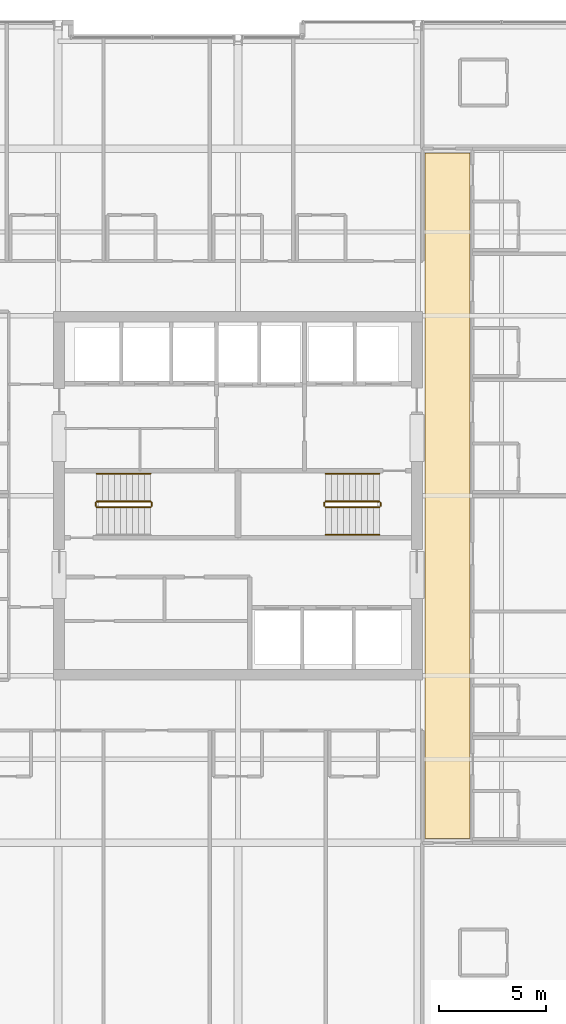
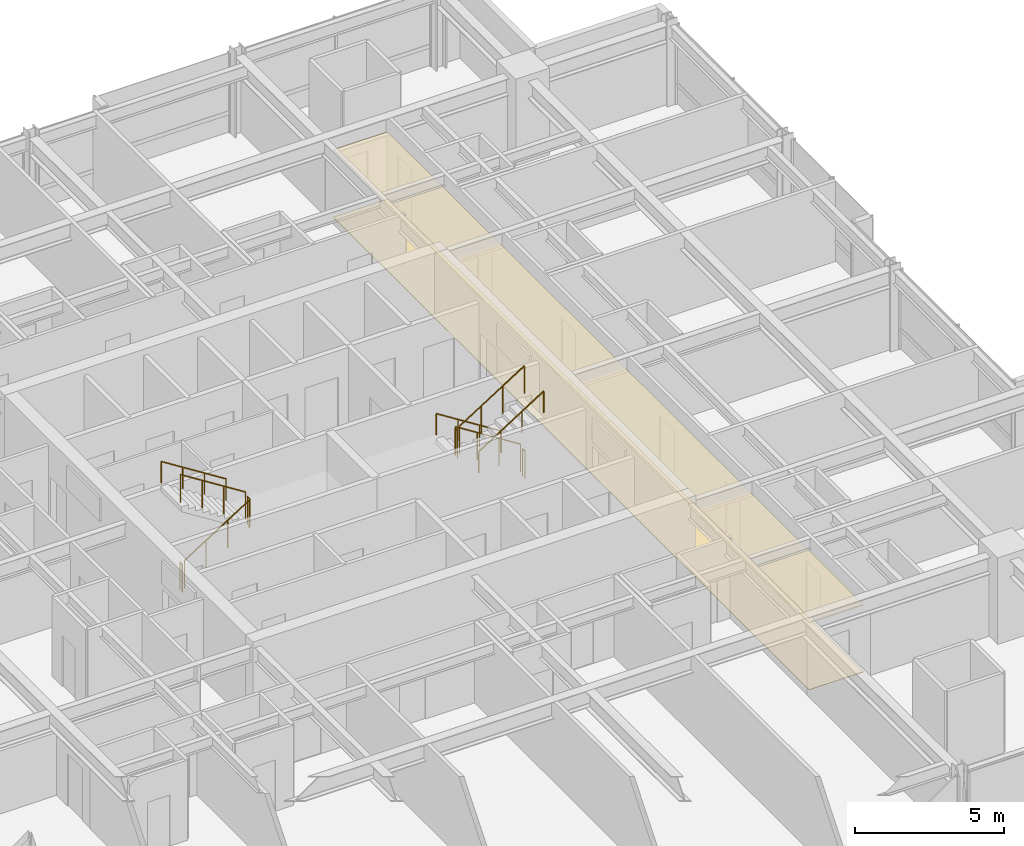
# One storey, part 32 of 33: 11 railings, 2 coverings.
"""IFC4 building model written with IfcOpenShell, lengths in metres."""

import ifcopenshell
import ifcopenshell.guid

model = None  # the IFC model being written
_history = None  # IfcOwnerHistory: only IFC2X3 demands one
_inside = {}  # id of a spatial element -> (the spatial element, [elements in it])
_under = {}  # id of a project, library or spatial element -> (it, [spatial elements below it])
_declared = {}  # id of a project -> (the project, [libraries it declares])
_typed = {}  # id of a type object -> (the type object, [elements of that type])
_made_of = {}  # id of a material, layer set ... -> (it, [elements and type objects made of it])


def new_model(schema):
    """Start an empty IFC model of exactly this schema.

    Asked for "IFC4X3", IfcOpenShell would pick the latest addendum, in which some entities
    have other attributes; the version numbers below select the first issue.
    IFC2X3 requires an IfcOwnerHistory on every rooted entity: one is made here for all.
    """
    global model, _history
    if schema == "IFC4X3":
        model = ifcopenshell.file(schema_version=(4, 3, 0, 0))
    else:
        model = ifcopenshell.file(schema=schema)
    _inside.clear()
    _under.clear()
    _declared.clear()
    _typed.clear()
    _made_of.clear()
    _history = None
    if model.schema == "IFC2X3":
        org = make("IfcOrganization", Name="unknown")
        user = make(
            "IfcPersonAndOrganization",
            ThePerson=make("IfcPerson", FamilyName="unknown"),
            TheOrganization=org,
        )
        app = make(
            "IfcApplication",
            ApplicationDeveloper=org,
            Version="unknown",
            ApplicationFullName="unknown",
            ApplicationIdentifier="unknown",
        )
        _history = make(
            "IfcOwnerHistory",
            OwningUser=user,
            OwningApplication=app,
            ChangeAction="ADDED",
            CreationDate=0,
        )
    return model


def make(cls, **values):
    """One entity of the class cls with the attributes given. An attribute that is None is left unset."""
    return model.create_entity(
        cls, **{name: value for name, value in values.items() if value is not None}
    )


def rooted(cls, **values):
    """An entity with a GlobalId (a new one), such as an element, a storey or a relation."""
    return make(cls, GlobalId=ifcopenshell.guid.new(), OwnerHistory=_history, **values)


def si_unit(unit_type, name, prefix=None):
    """IfcSIUnit, for example si_unit("LENGTHUNIT", "METRE", prefix="MILLI")."""
    return make("IfcSIUnit", UnitType=unit_type, Prefix=prefix, Name=name)


def assignment(units):
    """IfcUnitAssignment: the units of a project."""
    return None if units is None else make("IfcUnitAssignment", Units=units)


def point(xyz):
    """IfcCartesianPoint."""
    return None if xyz is None else make("IfcCartesianPoint", Coordinates=xyz)


def direction(xyz):
    """IfcDirection."""
    return None if xyz is None else make("IfcDirection", DirectionRatios=xyz)


def frame(location, z_axis=None, x_axis=None):
    """IfcAxis2Placement3D, a coordinate frame: its origin and axes. An axis left out is left unset."""
    return make(
        "IfcAxis2Placement3D",
        Location=point(location),
        Axis=direction(z_axis),
        RefDirection=direction(x_axis),
    )


def frame_2d(location, x_axis=None):
    """IfcAxis2Placement2D, a coordinate frame in the plane: its origin and x axis."""
    return make(
        "IfcAxis2Placement2D", Location=point(location), RefDirection=direction(x_axis)
    )


def origin():
    """The frame at (0, 0, 0) with its axes left unset."""
    return frame((0.0, 0.0, 0.0))


def origin_2d():
    """The frame at (0, 0) in the plane with its x axis left unset."""
    return frame_2d((0.0, 0.0))


def place(relative_to, where):
    """IfcLocalPlacement: puts the frame where relative to a parent placement (None: the world)."""
    return make(
        "IfcLocalPlacement", PlacementRelTo=relative_to, RelativePlacement=where
    )


def context(
    kind, dimensions, precision=None, world=None, true_north=None, identifier=None
):
    """IfcGeometricRepresentationContext, for example the 3D "Model" context."""
    return make(
        "IfcGeometricRepresentationContext",
        ContextIdentifier=identifier,
        ContextType=kind,
        CoordinateSpaceDimension=dimensions,
        Precision=precision,
        WorldCoordinateSystem=world,
        TrueNorth=true_north,
    )


def subcontext(parent, identifier, kind, view, scale=None):
    """IfcGeometricRepresentationSubContext, for example "Body" below "Model"."""
    return make(
        "IfcGeometricRepresentationSubContext",
        ContextIdentifier=identifier,
        ContextType=kind,
        ParentContext=parent,
        TargetScale=scale,
        TargetView=view,
    )


def project(units=None, contexts=None):
    """IfcProject with its units and contexts."""
    return rooted(
        "IfcProject",
        Name="project",
        RepresentationContexts=contexts,
        UnitsInContext=assignment(units),
    )


def spatial(cls, under=None, at=None, **own):
    """A site, building, storey or space (cls), placed at a placement, below another one or the project."""
    s = rooted(cls, ObjectPlacement=at, **own)
    if under is not None:
        _under.setdefault(under.id(), (under, []))[1].append(s)
    return s


def polyline(points):
    """IfcPolyline through the points."""
    return make("IfcPolyline", Points=[point(p) for p in points])


def profile(cls, at=None, kind="AREA", **sizes):
    """A parametric profile (cls). Its sizes go by their IFC names, for example OverallWidth=200.0."""
    return make(cls, ProfileType=kind, Position=at, **sizes)


def circle(**sizes):
    """IfcCircleProfileDef."""
    return profile("IfcCircleProfileDef", **sizes)


def outline(outer, holes=None, kind="AREA"):
    """IfcArbitraryClosedProfileDef: a profile drawn as a closed curve; with holes, ...WithVoids."""
    if holes is None:
        return make("IfcArbitraryClosedProfileDef", ProfileType=kind, OuterCurve=outer)
    return make(
        "IfcArbitraryProfileDefWithVoids",
        ProfileType=kind,
        OuterCurve=outer,
        InnerCurves=holes,
    )


def extrude(swept, where, along, depth):
    """IfcExtrudedAreaSolid: the profile swept, set in the frame where, extruded along a direction by depth."""
    return make(
        "IfcExtrudedAreaSolid",
        SweptArea=swept,
        Position=where,
        ExtrudedDirection=direction(along),
        Depth=depth,
    )


def shape(context_of_items, identifier, shape_type, items):
    """IfcShapeRepresentation: the items that make up one representation, for example the "Body"."""
    return make(
        "IfcShapeRepresentation",
        ContextOfItems=context_of_items,
        RepresentationIdentifier=identifier,
        RepresentationType=shape_type,
        Items=items,
    )


def material(Name=None, Category=None):
    """IfcMaterial."""
    return make("IfcMaterial", Name=Name, Category=Category)


def layer(
    of_material, thickness, ventilated=None, Name=None, Category=None, Priority=None
):
    """IfcMaterialLayer: one layer of a wall or slab, of a material (None: an air gap)."""
    return make(
        "IfcMaterialLayer",
        Material=of_material,
        LayerThickness=thickness,
        IsVentilated=ventilated,
        Name=Name,
        Category=Category,
        Priority=Priority,
    )


def layer_set(layers, Name=None):
    """IfcMaterialLayerSet."""
    return make("IfcMaterialLayerSet", MaterialLayers=layers, LayerSetName=Name)


def made_of(thing, what):
    """Note that an element or type object is made of a material, layer set ...; save() writes the relation."""
    if what is not None:
        _made_of.setdefault(what.id(), (what, []))[1].append(thing)
    return thing


def type_object(cls, material=None, **own):
    """A type object (cls), such as IfcWallType, which elements share."""
    return made_of(rooted(cls, **own), material)


def element(
    cls,
    number,
    at=None,
    inside=None,
    cuts=None,
    type_object=None,
    material=None,
    context=None,
    identifier="Body",
    shape_type=None,
    held_by="IfcProductDefinitionShape",
    body=None,
    shapes=None,
    **own,
):
    """One element of the class cls, such as IfcWall. Its Tag is "e" and its number.

    at: its placement. inside: the storey or other place that contains it. cuts: it is an
    opening in that element (IfcRelVoidsElement). A single representation is given by context,
    identifier, shape_type and body (its items); several are given by shapes. held_by: the class
    of the entity that holds the representations. save() writes the other relations.
    """
    e = rooted(cls, Tag="e%d" % number, ObjectPlacement=at, **own)
    if body is not None:
        shapes = [shape(context, identifier, shape_type, body)]
    if shapes is not None:
        e.Representation = make(held_by, Representations=shapes)
    if inside is not None:
        _inside.setdefault(inside.id(), (inside, []))[1].append(e)
    if cuts is not None:
        rooted(
            "IfcRelVoidsElement", RelatingBuildingElement=cuts, RelatedOpeningElement=e
        )
    if type_object is not None:
        _typed.setdefault(type_object.id(), (type_object, []))[1].append(e)
    return made_of(e, material)


def aggregate(whole, parts):
    """IfcRelAggregates: a whole, such as a stair, and the parts it consists of."""
    return rooted("IfcRelAggregates", RelatingObject=whole, RelatedObjects=parts)


def save(model, path):
    """Write the relations noted so far, then the file.

    IfcRelAggregates (storeys below a building ...), IfcRelContainedInSpatialStructure (elements
    in a storey), IfcRelDefinesByType, IfcRelAssociatesMaterial and IfcRelDeclares: one each for
    every whole, place, type object, material and project.
    """
    for whole, parts in _under.values():
        aggregate(whole, parts)
    for where, things in _inside.values():
        rooted(
            "IfcRelContainedInSpatialStructure",
            RelatedElements=things,
            RelatingStructure=where,
        )
    for kind, things in _typed.values():
        rooted("IfcRelDefinesByType", RelatedObjects=things, RelatingType=kind)
    for what, things in _made_of.values():
        rooted("IfcRelAssociatesMaterial", RelatedObjects=things, RelatingMaterial=what)
    for by, libraries in _declared.values():
        rooted("IfcRelDeclares", RelatingContext=by, RelatedDefinitions=libraries)
    model.write(path)


model = new_model("IFC4")

# Units and contexts
model_context = context("Model", 3, precision=1e-05, world=origin(), true_north=direction((0.0, 1.0)))
body_context = subcontext(model_context, "Body", "Model", "MODEL_VIEW")
ifc_project = project(units=[si_unit("LENGTHUNIT", "METRE"), si_unit("AREAUNIT", "SQUARE_METRE"), si_unit("VOLUMEUNIT", "CUBIC_METRE"), si_unit("PLANEANGLEUNIT", "RADIAN"), si_unit("MASSUNIT", "GRAM", prefix="KILO")], contexts=[model_context])

# Site, building, storey
site_placement = place(None, origin())
site = spatial("IfcSite", under=ifc_project, at=site_placement, CompositionType="ELEMENT")
building_placement = place(site_placement, origin())
building = spatial("IfcBuilding", under=site, at=building_placement, Name="Drelvath Grand Hotel", CompositionType="ELEMENT")
storey_placement = place(building_placement, frame((0.0, 0.0, 153.949951171875)))
storey = spatial("IfcBuildingStorey", under=building, at=storey_placement, Name="L39", CompositionType="ELEMENT", Elevation=153.949951171875)

# Railings
ifc_material_1 = material(Name="Painted Steel S275", Category="steel")
railing_type_1 = type_object("IfcRailingType", Name="Core Stair Wall Handrail 900", PredefinedType="HANDRAIL", material=ifc_material_1)
railing_1_placement = place(storey_placement, frame((-4.080078125, 28.030029296875, 1.95263671875)))
element("IfcRailing", 1, at=railing_1_placement, inside=storey, type_object=railing_type_1, Name="L39 ST-1 stair handrail 2", PredefinedType="HANDRAIL", context=body_context, shape_type="SweptSolid", body=[
    extrude(circle(Radius=0.02392578125, at=origin_2d()), frame((0.0, 0.0, 0.8759765625), z_axis=(-0.84460694969, 0.0, 0.535386869969), x_axis=(0.0, -1.0, 0.0)), (0.0, 0.0, 1.0), 2.983642578125),
    extrude(circle(Radius=0.02099609375, at=origin_2d()), origin(), (0.0, 0.0, 1.0), 0.851806640625),
    extrude(circle(Radius=0.02099609375, at=origin_2d()), frame((-0.840087890625, 0.0, 0.532470703125)), (0.0, 0.0, 1.0), 0.851806640625),
    extrude(circle(Radius=0.02099609375, at=origin_2d()), frame((-1.679931640625, 0.0, 1.06494140625)), (0.0, 0.0, 1.0), 0.851806640625),
    extrude(circle(Radius=0.02099609375, at=origin_2d()), frame((-2.52001953125, 0.0, 1.597412109375)), (0.0, 0.0, 1.0), 0.851806640625),
])
railing_2_placement = place(storey_placement, frame((6.60009765625, 28.030029296875, 0.177490234375)))
element("IfcRailing", 2, at=railing_2_placement, inside=storey, type_object=railing_type_1, Name="L39 ST-2 stair handrail 1", PredefinedType="HANDRAIL", context=body_context, shape_type="SweptSolid", body=[
    extrude(circle(Radius=0.02392578125, at=origin_2d()), frame((0.0, 0.0, 0.8759765625), z_axis=(-0.84456994832, 0.0, 0.535445237532), x_axis=(0.0, -1.0, 0.0)), (0.0, 0.0, 1.0), 2.98388671875),
    extrude(circle(Radius=0.02099609375, at=origin_2d()), origin(), (0.0, 0.0, 1.0), 0.851806640625),
    extrude(circle(Radius=0.02099609375, at=origin_2d()), frame((-0.840087890625, 0.0, 0.532470703125)), (0.0, 0.0, 1.0), 0.851806640625),
    extrude(circle(Radius=0.02099609375, at=origin_2d()), frame((-1.679931640625, 0.0, 1.065185546875)), (0.0, 0.0, 1.0), 0.851806640625),
    extrude(circle(Radius=0.02099609375, at=origin_2d()), frame((-2.52001953125, 0.0, 1.59765625)), (0.0, 0.0, 1.0), 0.851806640625),
])
railing_3_placement = place(storey_placement, frame((4.080078125, 25.169921875, 1.95263671875)))
element("IfcRailing", 3, at=railing_3_placement, inside=storey, type_object=railing_type_1, Name="L39 ST-2 stair handrail 2", PredefinedType="HANDRAIL", context=body_context, shape_type="SweptSolid", body=[
    extrude(circle(Radius=0.02392578125, at=origin_2d()), frame((0.0, 0.0, 0.8759765625), z_axis=(0.84460694969, 0.0, 0.535386869969), x_axis=(0.0, 1.0, 0.0)), (0.0, 0.0, 1.0), 2.983642578125),
    extrude(circle(Radius=0.02099609375, at=origin_2d()), origin(), (0.0, 0.0, 1.0), 0.851806640625),
    extrude(circle(Radius=0.02099609375, at=origin_2d()), frame((0.840087890625, 0.0, 0.532470703125)), (0.0, 0.0, 1.0), 0.851806640625),
    extrude(circle(Radius=0.02099609375, at=origin_2d()), frame((1.679931640625, 0.0, 1.06494140625)), (0.0, 0.0, 1.0), 0.851806640625),
    extrude(circle(Radius=0.02099609375, at=origin_2d()), frame((2.52001953125, 0.0, 1.597412109375)), (0.0, 0.0, 1.0), 0.851806640625),
])
railing_type_2 = type_object("IfcRailingType", Name="Core Stair Well Guardrail 1100", PredefinedType="GUARDRAIL", material=ifc_material_1)
railing_4_placement = place(storey_placement, frame((-6.60009765625, 26.469970703125, 0.177490234375)))
element("IfcRailing", 4, at=railing_4_placement, inside=storey, type_object=railing_type_2, Name="L39 ST-1 stair guard 1", PredefinedType="GUARDRAIL", context=body_context, shape_type="SweptSolid", body=[
    extrude(circle(Radius=0.02392578125, at=origin_2d()), frame((0.0, 0.0, 1.1259765625), z_axis=(0.84456994832, 0.0, 0.535445237532), x_axis=(0.0, 1.0, 0.0)), (0.0, 0.0, 1.0), 2.98388671875),
    extrude(circle(Radius=0.02099609375, at=origin_2d()), origin(), (0.0, 0.0, 1.0), 1.101806640625),
    extrude(circle(Radius=0.02099609375, at=origin_2d()), frame((0.840087890625, 0.0, 0.532470703125)), (0.0, 0.0, 1.0), 1.101806640625),
    extrude(circle(Radius=0.02099609375, at=origin_2d()), frame((1.679931640625, 0.0, 1.065185546875)), (0.0, 0.0, 1.0), 1.101806640625),
    extrude(circle(Radius=0.02099609375, at=origin_2d()), frame((2.52001953125, 0.0, 1.59765625)), (0.0, 0.0, 1.0), 1.101806640625),
])
railing_5_placement = place(storey_placement, frame((-4.030029296875, 26.52001953125, 1.775146484375)))
element("IfcRailing", 5, at=railing_5_placement, inside=storey, type_object=railing_type_2, Name="L39 ST-1 stair guard 2", PredefinedType="GUARDRAIL", context=body_context, shape_type="SweptSolid", body=[
    extrude(circle(Radius=0.02392578125, at=origin_2d()), frame((0.0, 0.0, 1.1259765625), z_axis=(0.0, 1.0, 0.0), x_axis=(-1.0, 0.0, 0.0)), (0.0, 0.0, 1.0), 0.159912109375),
    extrude(circle(Radius=0.02099609375, at=origin_2d()), origin(), (0.0, 0.0, 1.0), 1.101806640625),
    extrude(circle(Radius=0.02099609375, at=origin_2d()), frame((0.0, 0.159912109375, 0.0)), (0.0, 0.0, 1.0), 1.101806640625),
])
railing_6_placement = place(storey_placement, frame((-4.080078125, 26.72998046875, 1.95263671875)))
element("IfcRailing", 6, at=railing_6_placement, inside=storey, type_object=railing_type_2, Name="L39 ST-1 stair guard 3", PredefinedType="GUARDRAIL", context=body_context, shape_type="SweptSolid", body=[
    extrude(circle(Radius=0.02392578125, at=origin_2d()), frame((0.0, 0.0, 1.1259765625), z_axis=(-0.84460694969, 0.0, 0.535386869969), x_axis=(0.0, -1.0, 0.0)), (0.0, 0.0, 1.0), 2.983642578125),
    extrude(circle(Radius=0.02099609375, at=origin_2d()), origin(), (0.0, 0.0, 1.0), 1.101806640625),
    extrude(circle(Radius=0.02099609375, at=origin_2d()), frame((-0.840087890625, 0.0, 0.532470703125)), (0.0, 0.0, 1.0), 1.101806640625),
    extrude(circle(Radius=0.02099609375, at=origin_2d()), frame((-1.679931640625, 0.0, 1.06494140625)), (0.0, 0.0, 1.0), 1.101806640625),
    extrude(circle(Radius=0.02099609375, at=origin_2d()), frame((-2.52001953125, 0.0, 1.597412109375)), (0.0, 0.0, 1.0), 1.101806640625),
])
railing_7_placement = place(storey_placement, frame((-6.64990234375, 26.52001953125, 0.0)))
element("IfcRailing", 7, at=railing_7_placement, inside=storey, type_object=railing_type_2, Name="L39 ST-1 stair guard 4", PredefinedType="GUARDRAIL", context=body_context, shape_type="SweptSolid", body=[
    extrude(circle(Radius=0.02392578125, at=origin_2d()), frame((0.0, 0.0, 1.1259765625), z_axis=(0.0, 1.0, 0.0), x_axis=(-1.0, 0.0, 0.0)), (0.0, 0.0, 1.0), 0.159912109375),
    extrude(circle(Radius=0.02099609375, at=origin_2d()), origin(), (0.0, 0.0, 1.0), 1.101806640625),
    extrude(circle(Radius=0.02099609375, at=origin_2d()), frame((0.0, 0.159912109375, 0.0)), (0.0, 0.0, 1.0), 1.101806640625),
])
railing_8_placement = place(storey_placement, frame((6.60009765625, 26.72998046875, 0.177490234375)))
element("IfcRailing", 8, at=railing_8_placement, inside=storey, type_object=railing_type_2, Name="L39 ST-2 stair guard 1", PredefinedType="GUARDRAIL", context=body_context, shape_type="SweptSolid", body=[
    extrude(circle(Radius=0.02392578125, at=origin_2d()), frame((0.0, 0.0, 1.1259765625), z_axis=(-0.84456994832, 0.0, 0.535445237532), x_axis=(0.0, -1.0, 0.0)), (0.0, 0.0, 1.0), 2.98388671875),
    extrude(circle(Radius=0.02099609375, at=origin_2d()), origin(), (0.0, 0.0, 1.0), 1.101806640625),
    extrude(circle(Radius=0.02099609375, at=origin_2d()), frame((-0.840087890625, 0.0, 0.532470703125)), (0.0, 0.0, 1.0), 1.101806640625),
    extrude(circle(Radius=0.02099609375, at=origin_2d()), frame((-1.679931640625, 0.0, 1.065185546875)), (0.0, 0.0, 1.0), 1.101806640625),
    extrude(circle(Radius=0.02099609375, at=origin_2d()), frame((-2.52001953125, 0.0, 1.59765625)), (0.0, 0.0, 1.0), 1.101806640625),
])
railing_9_placement = place(storey_placement, frame((4.030029296875, 26.679931640625, 1.775146484375)))
element("IfcRailing", 9, at=railing_9_placement, inside=storey, type_object=railing_type_2, Name="L39 ST-2 stair guard 2", PredefinedType="GUARDRAIL", context=body_context, shape_type="SweptSolid", body=[
    extrude(circle(Radius=0.02392578125, at=origin_2d()), frame((0.0, 0.0, 1.1259765625), z_axis=(0.0, -1.0, 0.0), x_axis=(1.0, 0.0, 0.0)), (0.0, 0.0, 1.0), 0.159912109375),
    extrude(circle(Radius=0.02099609375, at=origin_2d()), origin(), (0.0, 0.0, 1.0), 1.101806640625),
    extrude(circle(Radius=0.02099609375, at=origin_2d()), frame((0.0, -0.159912109375, 0.0)), (0.0, 0.0, 1.0), 1.101806640625),
])
railing_10_placement = place(storey_placement, frame((4.080078125, 26.469970703125, 1.95263671875)))
element("IfcRailing", 10, at=railing_10_placement, inside=storey, type_object=railing_type_2, Name="L39 ST-2 stair guard 3", PredefinedType="GUARDRAIL", context=body_context, shape_type="SweptSolid", body=[
    extrude(circle(Radius=0.02392578125, at=origin_2d()), frame((0.0, 0.0, 1.1259765625), z_axis=(0.84460694969, 0.0, 0.535386869969), x_axis=(0.0, 1.0, 0.0)), (0.0, 0.0, 1.0), 2.983642578125),
    extrude(circle(Radius=0.02099609375, at=origin_2d()), origin(), (0.0, 0.0, 1.0), 1.101806640625),
    extrude(circle(Radius=0.02099609375, at=origin_2d()), frame((0.840087890625, 0.0, 0.532470703125)), (0.0, 0.0, 1.0), 1.101806640625),
    extrude(circle(Radius=0.02099609375, at=origin_2d()), frame((1.679931640625, 0.0, 1.06494140625)), (0.0, 0.0, 1.0), 1.101806640625),
    extrude(circle(Radius=0.02099609375, at=origin_2d()), frame((2.52001953125, 0.0, 1.597412109375)), (0.0, 0.0, 1.0), 1.101806640625),
])
railing_11_placement = place(storey_placement, frame((6.64990234375, 26.679931640625, 0.0)))
element("IfcRailing", 11, at=railing_11_placement, inside=storey, type_object=railing_type_2, Name="L39 ST-2 stair guard 4", PredefinedType="GUARDRAIL", context=body_context, shape_type="SweptSolid", body=[
    extrude(circle(Radius=0.02392578125, at=origin_2d()), frame((0.0, 0.0, 1.1259765625), z_axis=(0.0, -1.0, 0.0), x_axis=(1.0, 0.0, 0.0)), (0.0, 0.0, 1.0), 0.159912109375),
    extrude(circle(Radius=0.02099609375, at=origin_2d()), origin(), (0.0, 0.0, 1.0), 1.101806640625),
    extrude(circle(Radius=0.02099609375, at=origin_2d()), frame((0.0, -0.159912109375, 0.0)), (0.0, 0.0, 1.0), 1.101806640625),
])

# Coverings
ifc_material_2 = material(Name="Woven Wool Broadloom Carpet")
ifc_layer_1 = layer(ifc_material_2, 0.01806640625)
ifc_layer_set_1 = layer_set([ifc_layer_1], Name="Woven Wool Broadloom Carpet")
covering_type_1 = type_object("IfcCoveringType", Name="Hospitality Broadloom Carpet 18", PredefinedType="FLOORING", material=ifc_layer_set_1)
covering_1_placement = place(storey_placement, origin())
element("IfcCovering", 12, at=covering_1_placement, inside=storey, type_object=covering_type_1, Name="L39 East Spine Carpet", PredefinedType="FLOORING", context=body_context, shape_type="SweptSolid", body=[
    extrude(outline(polyline([(10.830078125, 11.0), (10.830078125, 43.0), (8.719970703125, 43.0), (8.719970703125, 11.0), (10.830078125, 11.0)])), origin(), (0.0, 0.0, 1.0), 0.01806640625),
])
ifc_material_3 = material(Name="Anodised Aluminium Alloy", Category="aluminium")
ifc_layer_2 = layer(ifc_material_3, 0.0400390625)
ifc_layer_set_2 = layer_set([ifc_layer_2], Name="Anodised Aluminium Alloy")
covering_type_2 = type_object("IfcCoveringType", Name="Perforated Metal Corridor Ceiling 40", PredefinedType="CEILING", material=ifc_layer_set_2)
covering_2_placement = place(storey_placement, frame((0.0, 0.0, 2.739990234375)))
element("IfcCovering", 13, at=covering_2_placement, inside=storey, type_object=covering_type_2, Name="L39 East Spine Ceiling", PredefinedType="CEILING", context=body_context, shape_type="SweptSolid", body=[
    extrude(outline(polyline([(10.830078125, 11.0), (10.830078125, 43.0), (8.719970703125, 43.0), (8.719970703125, 11.0), (10.830078125, 11.0)])), origin(), (0.0, 0.0, 1.0), 0.0400390625),
])

save(model, "model.ifc")
